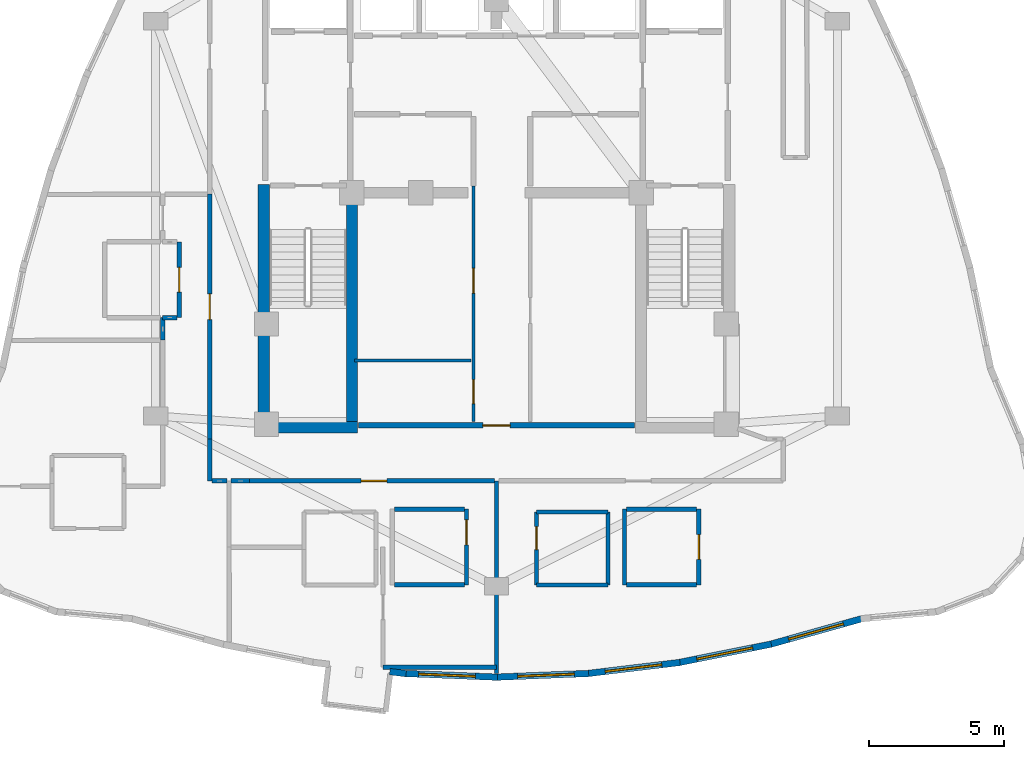
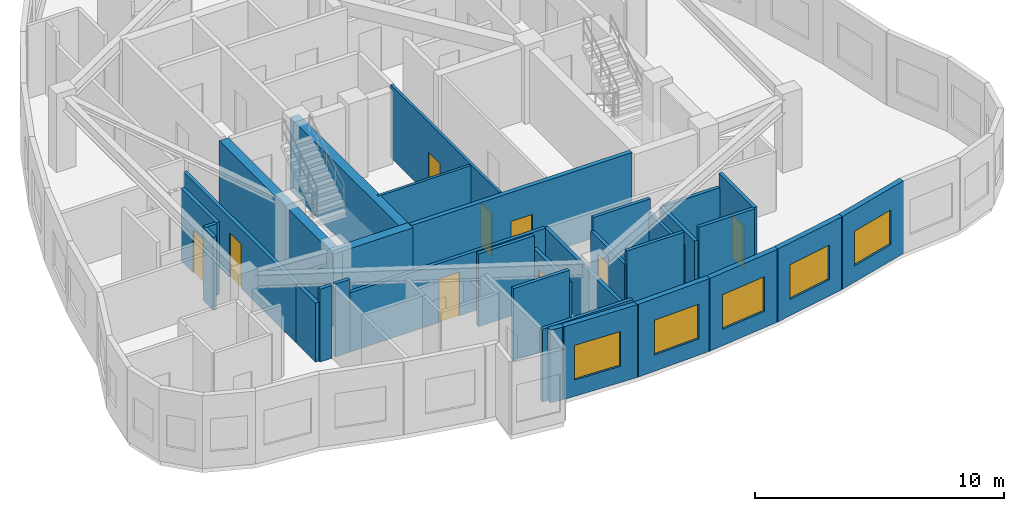
# One storey, part 8 of 13: 33 walls, 9 doors, 5 windows, 14 openings.
"""IFC4 building model written with IfcOpenShell, lengths in metres."""

from ifc_helpers import new_model, si_unit, direction, frame, frame_2d, origin, place, context, subcontext, project, spatial, rectangle, extrude, material, layer, layer_set, type_object, element, fill, save


model = new_model("IFC4")

# Units and contexts
model_context = context("Model", 3, precision=1e-05, world=origin(), true_north=direction((0.0, 1.0)))
body_context = subcontext(model_context, "Body", "Model", "MODEL_VIEW")
ifc_project = project(units=[si_unit("LENGTHUNIT", "METRE"), si_unit("AREAUNIT", "SQUARE_METRE"), si_unit("VOLUMEUNIT", "CUBIC_METRE"), si_unit("PLANEANGLEUNIT", "RADIAN"), si_unit("MASSUNIT", "GRAM", prefix="KILO")], contexts=[model_context])

# Site, building, storey
site_placement = place(None, origin())
site = spatial("IfcSite", under=ifc_project, at=site_placement, CompositionType="ELEMENT")
building_placement = place(site_placement, origin())
building = spatial("IfcBuilding", under=site, at=building_placement, Name="Miruveldt Soraemaru", CompositionType="ELEMENT")
storey_placement = place(building_placement, frame((0.0, 0.0, 255.85009765625)))
storey = spatial("IfcBuildingStorey", under=building, at=storey_placement, Name="L70", CompositionType="ELEMENT", Elevation=255.85009765625)

# Walls
ifc_material_1 = material(Name="Concrete C50/60 (50 MPa)", Category="concrete")
ifc_layer_1 = layer(ifc_material_1, 0.419921875, Name="Concrete C50/60 (50 MPa)", Category="concrete")
ifc_layer_set_1 = layer_set([ifc_layer_1], Name="Concrete C50/60 (50 MPa)")
wall_type_1 = type_object("IfcWallType", Name="WALL-CW-420", PredefinedType="SHEAR", material=ifc_layer_set_1)
wall_1_placement = place(storey_placement, frame((35.179931640625, 35.389892578125, 0.0), z_axis=(0.0, 0.0, 1.0), x_axis=(1.0, 0.0, 0.0)))
element("IfcWall", 1, at=wall_1_placement, inside=storey, type_object=wall_type_1, Name="L70 Central Core Shear Wall S1", PredefinedType="SHEAR", context=body_context, shape_type="SweptSolid", body=[
    extrude(rectangle(XDim=3.690185546875, YDim=0.419921875, at=frame_2d((1.84521484375, 0.0))), origin(), (0.0, 0.0, 1.0), 3.56494140625),
])
wall_2_placement = place(storey_placement, frame((35.389892578125, 35.179931640625, 0.0), z_axis=(0.0, 0.0, 1.0), x_axis=(0.0, 1.0, 0.0)))
element("IfcWall", 2, at=wall_2_placement, inside=storey, type_object=wall_type_1, Name="L70 Central Core Shear Wall W1", PredefinedType="SHEAR", context=body_context, shape_type="SweptSolid", body=[
    extrude(rectangle(XDim=9.170166015625, YDim=0.419921875, at=frame_2d((4.5849609375, 0.0))), origin(), (0.0, 0.0, 1.0), 3.56494140625),
])
wall_3_placement = place(storey_placement, frame((38.659912109375, 35.39990234375, 0.0), z_axis=(0.0, 0.0, 1.0), x_axis=(0.0, 1.0, 0.0)))
element("IfcWall", 3, at=wall_3_placement, inside=storey, type_object=wall_type_1, Name="L70 Central Core Shear Wall SW-INT", PredefinedType="SHEAR", context=body_context, shape_type="SweptSolid", body=[
    extrude(rectangle(XDim=8.9501953125, YDim=0.419921875, at=frame_2d((4.47509765625, 0.0))), origin(), (0.0, 0.0, 1.0), 3.56494140625),
])
ifc_material_2 = material(Name="Precast concrete C45/55 (45 MPa)", Category="concrete")
ifc_layer_2 = layer(ifc_material_2, 0.239990234375, Name="Precast concrete C45/55 (45 MPa)", Category="concrete")
ifc_layer_set_2 = layer_set([ifc_layer_2], Name="Precast concrete C45/55 (45 MPa)")
wall_type_2 = type_object("IfcWallType", Name="WALL-EXT-PC240", PredefinedType="SOLIDWALL", material=ifc_layer_set_2)
wall_4_placement = place(storey_placement, frame((40.055419921875, 26.347412109375, 0.0), z_axis=(0.0, 0.0, 1.0), x_axis=(0.99288252982, -0.119097783262, 0.0)))
element("IfcWall", 4, at=wall_4_placement, inside=storey, type_object=wall_type_2, Name="L70 Precast Pier Wall 23B", PredefinedType="SOLIDWALL", context=body_context, shape_type="SweptSolid", body=[
    extrude(rectangle(XDim=0.60888671875, YDim=0.239990234375, at=frame_2d((0.304443359375, 0.0))), origin(), (0.0, 0.0, 1.0), 3.56494140625),
])

# Wall, opening, window
wall_5_placement = place(storey_placement, frame((40.590087890625, 26.280517578125, 0.0), z_axis=(0.0, 0.0, 1.0), x_axis=(0.999199260977, -0.040010459423, 0.0)))
wall_5 = element("IfcWall", 5, at=wall_5_placement, inside=storey, type_object=wall_type_2, Name="L70 Precast Concrete Facade Wall 24", PredefinedType="SOLIDWALL", context=body_context, shape_type="SweptSolid", body=[
    extrude(rectangle(XDim=3.447509765625, YDim=0.239990234375, at=frame_2d((1.7236328125, 0.0))), origin(), (0.0, 0.0, 1.0), 3.56494140625),
])
opening_1_placement = place(wall_5_placement, frame((0.533935546875, 0.0, 0.800048828125)))
opening_1 = element("IfcOpeningElement", 6, at=opening_1_placement, cuts=wall_5, Name="Opening WN-1", PredefinedType="OPENING", context=body_context, shape_type="SweptSolid", body=[
    extrude(rectangle(XDim=2.10009765625, YDim=1.699951171875, at=frame_2d((1.050048828125, 0.85009765625))), frame((0.0, 0.1298828125, 0.0), z_axis=(0.0, -1.0, 0.0), x_axis=(1.0, 0.0, 0.0)), (0.0, 0.0, 1.0), 0.260009765625),
])
ifc_material_3 = material(Name="Triple low-e insulated glazing", Category="glass")
window_type = type_object("IfcWindowType", Name="WIN-PUNCH-2100x1700", PartitioningType="SINGLE_PANEL", PredefinedType="WINDOW", material=ifc_material_3)
window_1_placement = place(opening_1_placement, origin())
window_1 = element("IfcWindow", 7, at=window_1_placement, inside=storey, type_object=window_type, Name="L70 Punched Triple-Glazed Window 24.1", OverallHeight=1.699951171875, OverallWidth=2.10009765625, PartitioningType="SINGLE_PANEL", PredefinedType="WINDOW", context=body_context, shape_type="SweptSolid", body=[
    extrude(rectangle(XDim=2.10009765625, YDim=1.699951171875, at=frame_2d((1.050048828125, 0.85009765625))), frame((0.0, 0.030029296875, 0.0), z_axis=(0.0, -1.0, 0.0), x_axis=(1.0, 0.0, 0.0)), (0.0, 0.0, 1.0), 0.06005859375),
])
fill(opening_1, window_1)

wall_6_placement = place(storey_placement, frame((43.965087890625, 26.142578125, 0.0), z_axis=(0.0, 0.0, 1.0), x_axis=(0.999199260977, 0.040010459423, 0.0)))
wall_6 = element("IfcWall", 8, at=wall_6_placement, inside=storey, type_object=wall_type_2, Name="L70 Precast Concrete Facade Wall 25", PredefinedType="SOLIDWALL", context=body_context, shape_type="SweptSolid", body=[
    extrude(rectangle(XDim=3.447509765625, YDim=0.239990234375, at=frame_2d((1.7236328125, 0.0))), origin(), (0.0, 0.0, 1.0), 3.56494140625),
])
opening_2_placement = place(wall_6_placement, frame((0.81396484375, 0.0, 0.800048828125)))
opening_2 = element("IfcOpeningElement", 9, at=opening_2_placement, cuts=wall_6, Name="Opening WN-1", PredefinedType="OPENING", context=body_context, shape_type="SweptSolid", body=[
    extrude(rectangle(XDim=2.10009765625, YDim=1.699951171875, at=frame_2d((1.050048828125, 0.85009765625))), frame((0.0, 0.1298828125, 0.0), z_axis=(0.0, -1.0, 0.0), x_axis=(1.0, 0.0, 0.0)), (0.0, 0.0, 1.0), 0.260009765625),
])
window_2_placement = place(opening_2_placement, origin())
window_2 = element("IfcWindow", 10, at=window_2_placement, inside=storey, type_object=window_type, Name="L70 Punched Triple-Glazed Window 25.1", OverallHeight=1.699951171875, OverallWidth=2.10009765625, PartitioningType="SINGLE_PANEL", PredefinedType="WINDOW", context=body_context, shape_type="SweptSolid", body=[
    extrude(rectangle(XDim=2.10009765625, YDim=1.699951171875, at=frame_2d((1.050048828125, 0.85009765625))), frame((0.0, 0.030029296875, 0.0), z_axis=(0.0, -1.0, 0.0), x_axis=(1.0, 0.0, 0.0)), (0.0, 0.0, 1.0), 0.06005859375),
])
fill(opening_2, window_2)

wall_7_placement = place(storey_placement, frame((47.340087890625, 26.27490234375, 0.0), z_axis=(0.0, 0.0, 1.0), x_axis=(0.99287650547, 0.11914799573, 0.0)))
wall_7 = element("IfcWall", 11, at=wall_7_placement, inside=storey, type_object=wall_type_2, Name="L70 Precast Concrete Facade Wall 26", PredefinedType="SOLIDWALL", context=body_context, shape_type="SweptSolid", body=[
    extrude(rectangle(XDim=3.468994140625, YDim=0.239990234375, at=frame_2d((1.734375, 0.0))), origin(), (0.0, 0.0, 1.0), 3.56494140625),
])
opening_3_placement = place(wall_7_placement, frame((0.68505859375, 0.0, 0.800048828125)))
opening_3 = element("IfcOpeningElement", 12, at=opening_3_placement, cuts=wall_7, Name="Opening WN-1", PredefinedType="OPENING", context=body_context, shape_type="SweptSolid", body=[
    extrude(rectangle(XDim=2.10009765625, YDim=1.699951171875, at=frame_2d((1.050048828125, 0.85009765625))), frame((0.0, 0.1298828125, 0.0), z_axis=(0.0, -1.0, 0.0), x_axis=(1.0, 0.0, 0.0)), (0.0, 0.0, 1.0), 0.260009765625),
])
window_3_placement = place(opening_3_placement, origin())
window_3 = element("IfcWindow", 13, at=window_3_placement, inside=storey, type_object=window_type, Name="L70 Punched Triple-Glazed Window 26.1", OverallHeight=1.699951171875, OverallWidth=2.10009765625, PartitioningType="SINGLE_PANEL", PredefinedType="WINDOW", context=body_context, shape_type="SweptSolid", body=[
    extrude(rectangle(XDim=2.10009765625, YDim=1.699951171875, at=frame_2d((1.050048828125, 0.85009765625))), frame((0.0, 0.030029296875, 0.0), z_axis=(0.0, -1.0, 0.0), x_axis=(1.0, 0.0, 0.0)), (0.0, 0.0, 1.0), 0.06005859375),
])
fill(opening_3, window_3)

wall_8_placement = place(storey_placement, frame((50.71533203125, 26.67724609375, 0.0), z_axis=(0.0, 0.0, 1.0), x_axis=(0.980578001568, 0.196129505277, 0.0)))
wall_8 = element("IfcWall", 14, at=wall_8_placement, inside=storey, type_object=wall_type_2, Name="L70 Precast Concrete Facade Wall 27", PredefinedType="SOLIDWALL", context=body_context, shape_type="SweptSolid", body=[
    extrude(rectangle(XDim=3.511474609375, YDim=0.239990234375, at=frame_2d((1.755859375, 0.0))), origin(), (0.0, 0.0, 1.0), 3.56494140625),
])
opening_4_placement = place(wall_8_placement, frame((0.7060546875, 0.0, 0.800048828125)))
opening_4 = element("IfcOpeningElement", 15, at=opening_4_placement, cuts=wall_8, Name="Opening WN-1", PredefinedType="OPENING", context=body_context, shape_type="SweptSolid", body=[
    extrude(rectangle(XDim=2.10009765625, YDim=1.699951171875, at=frame_2d((1.050048828125, 0.85009765625))), frame((0.0, 0.1298828125, 0.0), z_axis=(0.0, -1.0, 0.0), x_axis=(1.0, 0.0, 0.0)), (0.0, 0.0, 1.0), 0.260009765625),
])
window_4_placement = place(opening_4_placement, origin())
window_4 = element("IfcWindow", 16, at=window_4_placement, inside=storey, type_object=window_type, Name="L70 Punched Triple-Glazed Window 27.1", OverallHeight=1.699951171875, OverallWidth=2.10009765625, PartitioningType="SINGLE_PANEL", PredefinedType="WINDOW", context=body_context, shape_type="SweptSolid", body=[
    extrude(rectangle(XDim=2.10009765625, YDim=1.699951171875, at=frame_2d((1.050048828125, 0.85009765625))), frame((0.0, 0.030029296875, 0.0), z_axis=(0.0, -1.0, 0.0), x_axis=(1.0, 0.0, 0.0)), (0.0, 0.0, 1.0), 0.06005859375),
])
fill(opening_4, window_4)

wall_9_placement = place(storey_placement, frame((54.0908203125, 27.349609375, 0.0), z_axis=(0.0, 0.0, 1.0), x_axis=(0.962959054134, 0.269647659105, 0.0)))
wall_9 = element("IfcWall", 17, at=wall_9_placement, inside=storey, type_object=wall_type_2, Name="L70 Precast Concrete Facade Wall 28", PredefinedType="SOLIDWALL", context=body_context, shape_type="SweptSolid", body=[
    extrude(rectangle(XDim=3.574462890625, YDim=0.239990234375, at=frame_2d((1.787109375, 0.0))), origin(), (0.0, 0.0, 1.0), 3.56494140625),
])
opening_5_placement = place(wall_9_placement, frame((0.738037109375, 0.0, 0.800048828125)))
opening_5 = element("IfcOpeningElement", 18, at=opening_5_placement, cuts=wall_9, Name="Opening WN-1", PredefinedType="OPENING", context=body_context, shape_type="SweptSolid", body=[
    extrude(rectangle(XDim=2.10009765625, YDim=1.699951171875, at=frame_2d((1.050048828125, 0.85009765625))), frame((0.0, 0.1298828125, 0.0), z_axis=(0.0, -1.0, 0.0), x_axis=(1.0, 0.0, 0.0)), (0.0, 0.0, 1.0), 0.260009765625),
])
window_5_placement = place(opening_5_placement, origin())
window_5 = element("IfcWindow", 19, at=window_5_placement, inside=storey, type_object=window_type, Name="L70 Punched Triple-Glazed Window 28.1", OverallHeight=1.699951171875, OverallWidth=2.10009765625, PartitioningType="SINGLE_PANEL", PredefinedType="WINDOW", context=body_context, shape_type="SweptSolid", body=[
    extrude(rectangle(XDim=2.10009765625, YDim=1.699951171875, at=frame_2d((1.050048828125, 0.85009765625))), frame((0.0, 0.030029296875, 0.0), z_axis=(0.0, -1.0, 0.0), x_axis=(1.0, 0.0, 0.0)), (0.0, 0.0, 1.0), 0.06005859375),
])
fill(opening_5, window_5)

# Wall, openings, doors
ifc_material_4 = material(Name="Gypsum plasterboard lining", Category="gypsum")
ifc_layer_3 = layer(ifc_material_4, 0.1201171875, Name="Gypsum plasterboard lining", Category="gypsum")
ifc_layer_set_3 = layer_set([ifc_layer_3], Name="Gypsum plasterboard lining")
wall_type_3 = type_object("IfcWallType", Name="WALL-INT-P120", PredefinedType="PARTITIONING", material=ifc_layer_set_3)
wall_10_placement = place(storey_placement, frame((43.14990234375, 35.60009765625, 0.0), z_axis=(0.0, 0.0, 1.0), x_axis=(0.0, 1.0, 0.0)))
wall_10 = element("IfcWall", 20, at=wall_10_placement, inside=storey, type_object=wall_type_3, Name="L70 Core Compartment Wall SP-WL", PredefinedType="PARTITIONING", context=body_context, shape_type="SweptSolid", body=[
    extrude(rectangle(XDim=8.699951171875, YDim=0.1201171875, at=frame_2d((4.35009765625, 0.0))), origin(), (0.0, 0.0, 1.0), 3.56494140625),
])
opening_6_placement = place(wall_10_placement, frame((0.659912109375, 0.0, 0.0)))
opening_6 = element("IfcOpeningElement", 21, at=opening_6_placement, cuts=wall_10, Name="Opening D4", PredefinedType="OPENING", context=body_context, shape_type="SweptSolid", body=[
    extrude(rectangle(XDim=0.8798828125, YDim=2.10009765625, at=frame_2d((0.43994140625, 1.050048828125))), frame((0.0, 0.070068359375, 0.0), z_axis=(0.0, -1.0, 0.0), x_axis=(1.0, 0.0, 0.0)), (0.0, 0.0, 1.0), 0.14013671875),
])
opening_7_placement = place(wall_10_placement, frame((4.739990234375, 0.0, 0.0)))
opening_7 = element("IfcOpeningElement", 22, at=opening_7_placement, cuts=wall_10, Name="Opening D3A", PredefinedType="OPENING", context=body_context, shape_type="SweptSolid", body=[
    extrude(rectangle(XDim=0.919921875, YDim=2.10009765625, at=frame_2d((0.4599609375, 1.050048828125))), frame((0.0, 0.070068359375, 0.0), z_axis=(0.0, -1.0, 0.0), x_axis=(1.0, 0.0, 0.0)), (0.0, 0.0, 1.0), 0.14013671875),
])
ifc_material_5 = material(Name="Anodised aluminium EN AW-6063 T6", Category="aluminium")
door_type_1 = type_object("IfcDoorType", Name="DOOR-INT-880", OperationType="NOTDEFINED", PredefinedType="DOOR", material=ifc_material_5)
door_1_placement = place(opening_6_placement, origin())
door_1 = element("IfcDoor", 23, at=door_1_placement, inside=storey, type_object=door_type_1, Name="L70 Fire Door", OperationType="SINGLE_SWING_LEFT", OverallHeight=2.10009765625, OverallWidth=0.8798828125, PredefinedType="DOOR", context=body_context, shape_type="SweptSolid", body=[
    extrude(rectangle(XDim=0.8798828125, YDim=2.10009765625, at=frame_2d((0.43994140625, 1.050048828125))), frame((0.0, 0.02490234375, 0.0), z_axis=(0.0, -1.0, 0.0), x_axis=(1.0, 0.0, 0.0)), (0.0, 0.0, 1.0), 0.050048828125),
])
fill(opening_6, door_1)
door_type_2 = type_object("IfcDoorType", Name="DOOR-INT-920", OperationType="NOTDEFINED", PredefinedType="DOOR", material=ifc_material_5)
door_2_placement = place(opening_7_placement, origin())
door_2 = element("IfcDoor", 24, at=door_2_placement, inside=storey, type_object=door_type_2, Name="L70 Fire Door", OperationType="SINGLE_SWING_LEFT", OverallHeight=2.10009765625, OverallWidth=0.919921875, PredefinedType="DOOR", context=body_context, shape_type="SweptSolid", body=[
    extrude(rectangle(XDim=0.919921875, YDim=2.10009765625, at=frame_2d((0.4599609375, 1.050048828125))), frame((0.0, 0.02490234375, 0.0), z_axis=(0.0, -1.0, 0.0), x_axis=(1.0, 0.0, 0.0)), (0.0, 0.0, 1.0), 0.050048828125),
])
fill(opening_7, door_2)

# Wall
wall_11_placement = place(storey_placement, frame((38.75, 37.85009765625, 0.0), z_axis=(0.0, 0.0, 1.0), x_axis=(1.0, 0.0, 0.0)))
element("IfcWall", 25, at=wall_11_placement, inside=storey, type_object=wall_type_3, Name="L70 Core Compartment Wall RL-W1H", PredefinedType="PARTITIONING", context=body_context, shape_type="SweptSolid", body=[
    extrude(rectangle(XDim=4.300048828125, YDim=0.1201171875, at=frame_2d((2.14990234375, 0.0))), origin(), (0.0, 0.0, 1.0), 3.56494140625),
])

# Wall, opening, door
ifc_layer_4 = layer(ifc_material_4, 0.14990234375, Name="Gypsum plasterboard lining", Category="gypsum")
ifc_layer_set_4 = layer_set([ifc_layer_4], Name="Gypsum plasterboard lining")
wall_type_4 = type_object("IfcWallType", Name="WALL-INT-PLUMB", PredefinedType="PLUMBINGWALL", material=ifc_layer_set_4)
wall_12_placement = place(storey_placement, frame((45.47998046875, 32.256103515625, 0.0), z_axis=(0.0, 0.0, 1.0), x_axis=(0.0, -1.0, 0.0)))
wall_12 = element("IfcWall", 26, at=wall_12_placement, inside=storey, type_object=wall_type_4, Name="L70 Partition Wall 62", PredefinedType="PLUMBINGWALL", context=body_context, shape_type="SweptSolid", body=[
    extrude(rectangle(XDim=2.7001953125, YDim=0.14990234375, at=frame_2d((1.35009765625, 0.0))), origin(), (0.0, 0.0, 1.0), 2.90283203125),
])
opening_8_placement = place(wall_12_placement, frame((0.550048828125, 0.0, 0.0)))
opening_8 = element("IfcOpeningElement", 27, at=opening_8_placement, cuts=wall_12, Name="Opening FD3", PredefinedType="OPENING", context=body_context, shape_type="SweptSolid", body=[
    extrude(rectangle(XDim=0.85009765625, YDim=2.10009765625, at=frame_2d((0.425048828125, 1.050048828125))), frame((0.0, 0.0849609375, 0.0), z_axis=(0.0, -1.0, 0.0), x_axis=(1.0, 0.0, 0.0)), (0.0, 0.0, 1.0), 0.169921875),
])
door_type_3 = type_object("IfcDoorType", Name="DOOR-FD3-850", OperationType="NOTDEFINED", PredefinedType="DOOR", material=ifc_material_5)
door_3_placement = place(opening_8_placement, origin())
door_3 = element("IfcDoor", 28, at=door_3_placement, inside=storey, type_object=door_type_3, Name="L70 Unit 7004 BTH Door", OperationType="SINGLE_SWING_LEFT", OverallHeight=2.10009765625, OverallWidth=0.85009765625, PredefinedType="DOOR", context=body_context, shape_type="SweptSolid", body=[
    extrude(rectangle(XDim=0.85009765625, YDim=2.10009765625, at=frame_2d((0.425048828125, 1.050048828125))), frame((0.0, 0.02490234375, 0.0), z_axis=(0.0, -1.0, 0.0), x_axis=(1.0, 0.0, 0.0)), (0.0, 0.0, 1.0), 0.050048828125),
])
fill(opening_8, door_3)

# Walls
wall_13_placement = place(storey_placement, frame((48.1298828125, 29.555908203125, 0.0), z_axis=(0.0, 0.0, 1.0), x_axis=(0.0, 1.0, 0.0)))
element("IfcWall", 29, at=wall_13_placement, inside=storey, type_object=wall_type_4, Name="L70 Partition Wall 60", PredefinedType="PLUMBINGWALL", context=body_context, shape_type="SweptSolid", body=[
    extrude(rectangle(XDim=2.7001953125, YDim=0.14990234375, at=frame_2d((1.35009765625, 0.0))), origin(), (0.0, 0.0, 1.0), 2.90283203125),
])
for number, where, z_axis, x_axis, name in (
    (30, (48.1298828125, 32.256103515625, 0.0), (0.0, 0.0, 1.0), (-1.0, 0.0, 0.0), "L70 Partition Wall 61"),
    (31, (45.47998046875, 29.555908203125, 0.0), (0.0, 0.0, 1.0), (1.0, 0.0, 0.0), "L70 Partition Wall 63"),
):
    element("IfcWall", number, at=place(storey_placement, frame(where, z_axis=z_axis, x_axis=x_axis)), inside=storey, type_object=wall_type_4, Name=name, PredefinedType="PLUMBINGWALL", context=body_context, shape_type="SweptSolid", body=[
        extrude(rectangle(XDim=2.64990234375, YDim=0.14990234375, at=frame_2d((1.324951171875, 0.0))), origin(), (0.0, 0.0, 1.0), 3.56494140625),
    ])

# Wall, opening, door
ifc_material_6 = material(Name="Concrete C40/50 (40 MPa)", Category="concrete")
ifc_layer_5 = layer(ifc_material_6, 0.159912109375, Name="Concrete C40/50 (40 MPa)", Category="concrete")
ifc_layer_set_5 = layer_set([ifc_layer_5], Name="Concrete C40/50 (40 MPa)")
wall_type_5 = type_object("IfcWallType", Name="WALL-INT-RC160", PredefinedType="SOLIDWALL", material=ifc_layer_set_5)
wall_14_placement = place(storey_placement, frame((34.8701171875, 33.39990234375, 0.0), z_axis=(0.0, 0.0, 1.0), x_axis=(1.0, 0.0, 0.0)))
wall_14 = element("IfcWall", 32, at=wall_14_placement, inside=storey, type_object=wall_type_5, Name="L70 Partition Wall 9", PredefinedType="SOLIDWALL", context=body_context, shape_type="SweptSolid", body=[
    extrude(rectangle(XDim=9.0498046875, YDim=0.159912109375, at=frame_2d((4.52490234375, 0.0))), origin(), (0.0, 0.0, 1.0), 2.90283203125),
])
opening_9_placement = place(wall_14_placement, frame((4.1298828125, 0.0, 0.0)))
opening_9 = element("IfcOpeningElement", 33, at=opening_9_placement, cuts=wall_14, Name="Opening FD2", PredefinedType="OPENING", context=body_context, shape_type="SweptSolid", body=[
    extrude(rectangle(XDim=0.949951171875, YDim=2.14990234375, at=frame_2d((0.47509765625, 1.074951171875))), frame((0.0, 0.08984375, 0.0), z_axis=(0.0, -1.0, 0.0), x_axis=(1.0, 0.0, 0.0)), (0.0, 0.0, 1.0), 0.179931640625),
])
door_type_4 = type_object("IfcDoorType", Name="DOOR-FD2-950", OperationType="NOTDEFINED", PredefinedType="DOOR", material=ifc_material_5)
door_4_placement = place(opening_9_placement, origin())
door_4 = element("IfcDoor", 34, at=door_4_placement, inside=storey, type_object=door_type_4, Name="L70 Unit 7003 Entrance Fire Door", OperationType="SINGLE_SWING_RIGHT", OverallHeight=2.14990234375, OverallWidth=0.949951171875, PredefinedType="DOOR", context=body_context, shape_type="SweptSolid", body=[
    extrude(rectangle(XDim=0.949951171875, YDim=2.14990234375, at=frame_2d((0.47509765625, 1.074951171875))), frame((0.0, 0.02490234375, 0.0), z_axis=(0.0, -1.0, 0.0), x_axis=(1.0, 0.0, 0.0)), (0.0, 0.0, 1.0), 0.050048828125),
])
fill(opening_9, door_4)

wall_15_placement = place(storey_placement, frame((33.39990234375, 44.0, 0.0), z_axis=(0.0, 0.0, 1.0), x_axis=(0.0, -1.0, 0.0)))
wall_15 = element("IfcWall", 35, at=wall_15_placement, inside=storey, type_object=wall_type_5, Name="L70 Partition Wall 5", PredefinedType="SOLIDWALL", context=body_context, shape_type="SweptSolid", body=[
    extrude(rectangle(XDim=9.050048828125, YDim=0.159912109375, at=frame_2d((4.52490234375, 0.0))), origin(), (0.0, 0.0, 1.0), 2.90283203125),
])
opening_10_placement = place(wall_15_placement, frame((3.68994140625, 0.0, 0.0)))
opening_10 = element("IfcOpeningElement", 36, at=opening_10_placement, cuts=wall_15, Name="Opening FD2", PredefinedType="OPENING", context=body_context, shape_type="SweptSolid", body=[
    extrude(rectangle(XDim=0.949951171875, YDim=2.14990234375, at=frame_2d((0.47509765625, 1.074951171875))), frame((0.0, 0.08984375, 0.0), z_axis=(0.0, -1.0, 0.0), x_axis=(1.0, 0.0, 0.0)), (0.0, 0.0, 1.0), 0.179931640625),
])
door_5_placement = place(opening_10_placement, origin())
door_5 = element("IfcDoor", 37, at=door_5_placement, inside=storey, type_object=door_type_4, Name="L70 Unit 7002 Entrance Fire Door", OperationType="SINGLE_SWING_LEFT", OverallHeight=2.14990234375, OverallWidth=0.949951171875, PredefinedType="DOOR", context=body_context, shape_type="SweptSolid", body=[
    extrude(rectangle(XDim=0.949951171875, YDim=2.14990234375, at=frame_2d((0.47509765625, 1.074951171875))), frame((0.0, 0.02490234375, 0.0), z_axis=(0.0, -1.0, 0.0), x_axis=(1.0, 0.0, 0.0)), (0.0, 0.0, 1.0), 0.050048828125),
])
fill(opening_10, door_5)

wall_16_placement = place(storey_placement, frame((42.89208984375, 29.555908203125, 0.0), z_axis=(0.0, 0.0, 1.0), x_axis=(0.0, 1.0, 0.0)))
wall_16 = element("IfcWall", 38, at=wall_16_placement, inside=storey, type_object=wall_type_5, Name="L70 Partition Wall 50", PredefinedType="SOLIDWALL", context=body_context, shape_type="SweptSolid", body=[
    extrude(rectangle(XDim=2.800048828125, YDim=0.159912109375, at=frame_2d((1.39990234375, 0.0))), origin(), (0.0, 0.0, 1.0), 2.90283203125),
])
opening_11_placement = place(wall_16_placement, frame((1.47998046875, 0.0, 0.0)))
opening_11 = element("IfcOpeningElement", 39, at=opening_11_placement, cuts=wall_16, Name="Opening D3A", PredefinedType="OPENING", context=body_context, shape_type="SweptSolid", body=[
    extrude(rectangle(XDim=0.919921875, YDim=2.10009765625, at=frame_2d((0.4599609375, 1.050048828125))), frame((0.0, 0.08984375, 0.0), z_axis=(0.0, -1.0, 0.0), x_axis=(1.0, 0.0, 0.0)), (0.0, 0.0, 1.0), 0.179931640625),
])
door_6_placement = place(opening_11_placement, origin())
door_6 = element("IfcDoor", 40, at=door_6_placement, inside=storey, type_object=door_type_2, Name="L70 Unit 7003 KIT Door", OperationType="SINGLE_SWING_RIGHT", OverallHeight=2.10009765625, OverallWidth=0.919921875, PredefinedType="DOOR", context=body_context, shape_type="SweptSolid", body=[
    extrude(rectangle(XDim=0.919921875, YDim=2.10009765625, at=frame_2d((0.4599609375, 1.050048828125))), frame((0.0, 0.02490234375, 0.0), z_axis=(0.0, -1.0, 0.0), x_axis=(1.0, 0.0, 0.0)), (0.0, 0.0, 1.0), 0.050048828125),
])
fill(opening_11, door_6)

wall_17_placement = place(storey_placement, frame((51.47998046875, 29.555908203125, 0.0), z_axis=(0.0, 0.0, 1.0), x_axis=(0.0, 1.0, 0.0)))
wall_17 = element("IfcWall", 41, at=wall_17_placement, inside=storey, type_object=wall_type_5, Name="L70 Partition Wall 64", PredefinedType="SOLIDWALL", context=body_context, shape_type="SweptSolid", body=[
    extrude(rectangle(XDim=2.800048828125, YDim=0.159912109375, at=frame_2d((1.39990234375, 0.0))), origin(), (0.0, 0.0, 1.0), 3.56494140625),
])
opening_12_placement = place(wall_17_placement, frame((0.93994140625, 0.0, 0.0)))
opening_12 = element("IfcOpeningElement", 42, at=opening_12_placement, cuts=wall_17, Name="Opening D3A", PredefinedType="OPENING", context=body_context, shape_type="SweptSolid", body=[
    extrude(rectangle(XDim=0.919921875, YDim=2.10009765625, at=frame_2d((0.4599609375, 1.050048828125))), frame((0.0, 0.08984375, 0.0), z_axis=(0.0, -1.0, 0.0), x_axis=(1.0, 0.0, 0.0)), (0.0, 0.0, 1.0), 0.179931640625),
])
door_7_placement = place(opening_12_placement, origin())
door_7 = element("IfcDoor", 43, at=door_7_placement, inside=storey, type_object=door_type_2, Name="L70 Unit 7004 KIT Door", OperationType="SINGLE_SWING_RIGHT", OverallHeight=2.10009765625, OverallWidth=0.919921875, PredefinedType="DOOR", context=body_context, shape_type="SweptSolid", body=[
    extrude(rectangle(XDim=0.919921875, YDim=2.10009765625, at=frame_2d((0.4599609375, 1.050048828125))), frame((0.0, 0.02490234375, 0.0), z_axis=(0.0, -1.0, 0.0), x_axis=(1.0, 0.0, 0.0)), (0.0, 0.0, 1.0), 0.050048828125),
])
fill(opening_12, door_7)

wall_18_placement = place(storey_placement, frame((32.27294921875, 39.43505859375, 0.0), z_axis=(0.0, 0.0, 1.0), x_axis=(0.0, 1.0, 0.0)))
wall_18 = element("IfcWall", 44, at=wall_18_placement, inside=storey, type_object=wall_type_5, Name="L70 Partition Wall 30", PredefinedType="SOLIDWALL", context=body_context, shape_type="SweptSolid", body=[
    extrude(rectangle(XDim=2.800048828125, YDim=0.159912109375, at=frame_2d((1.39990234375, 0.0))), origin(), (0.0, 0.0, 1.0), 3.56494140625),
])
opening_13_placement = place(wall_18_placement, frame((0.93994140625, 0.0, 0.0)))
opening_13 = element("IfcOpeningElement", 45, at=opening_13_placement, cuts=wall_18, Name="Opening D3A", PredefinedType="OPENING", context=body_context, shape_type="SweptSolid", body=[
    extrude(rectangle(XDim=0.919921875, YDim=2.10009765625, at=frame_2d((0.4599609375, 1.050048828125))), frame((0.0, 0.08984375, 0.0), z_axis=(0.0, -1.0, 0.0), x_axis=(1.0, 0.0, 0.0)), (0.0, 0.0, 1.0), 0.179931640625),
])
door_8_placement = place(opening_13_placement, origin())
door_8 = element("IfcDoor", 46, at=door_8_placement, inside=storey, type_object=door_type_2, Name="L70 Unit 7002 KIT Door", OperationType="SINGLE_SWING_LEFT", OverallHeight=2.10009765625, OverallWidth=0.919921875, PredefinedType="DOOR", context=body_context, shape_type="SweptSolid", body=[
    extrude(rectangle(XDim=0.919921875, YDim=2.10009765625, at=frame_2d((0.4599609375, 1.050048828125))), frame((0.0, 0.02490234375, 0.0), z_axis=(0.0, -1.0, 0.0), x_axis=(1.0, 0.0, 0.0)), (0.0, 0.0, 1.0), 0.050048828125),
])
fill(opening_13, door_8)

# Walls
wall_19_placement = place(storey_placement, frame((44.0, 26.279052734375, 0.0), z_axis=(0.0, 0.0, 1.0), x_axis=(0.0, 1.0, 0.0)))
element("IfcWall", 47, at=wall_19_placement, inside=storey, type_object=wall_type_5, Name="L70 Partition Wall 56", PredefinedType="SOLIDWALL", context=body_context, shape_type="SweptSolid", body=[
    extrude(rectangle(XDim=7.114013671875, YDim=0.159912109375, at=frame_2d((3.55712890625, 0.0))), origin(), (0.0, 0.0, 1.0), 2.90283203125),
])
wall_20_placement = place(storey_placement, frame((39.806884765625, 26.512939453125, 0.0), z_axis=(0.0, 0.0, 1.0), x_axis=(1.0, 0.0, 0.0)))
element("IfcWall", 48, at=wall_20_placement, inside=storey, type_object=wall_type_5, Name="L70 Partition Closure Return 1", PredefinedType="SOLIDWALL", context=body_context, shape_type="SweptSolid", body=[
    extrude(rectangle(XDim=4.193115234375, YDim=0.159912109375, at=frame_2d((2.0966796875, 0.0))), origin(), (0.0, 0.0, 1.0), 3.56494140625),
])
wall_21_placement = place(storey_placement, frame((48.72998046875, 32.35595703125, 0.0), z_axis=(0.0, 0.0, 1.0), x_axis=(0.0, -1.0, 0.0)))
element("IfcWall", 49, at=wall_21_placement, inside=storey, type_object=wall_type_5, Name="L70 Partition Wall 66", PredefinedType="SOLIDWALL", context=body_context, shape_type="SweptSolid", body=[
    extrude(rectangle(XDim=2.800048828125, YDim=0.159912109375, at=frame_2d((1.39990234375, 0.0))), origin(), (0.0, 0.0, 1.0), 2.90283203125),
])
for number, where, z_axis, x_axis, name in (
    (50, (42.81201171875, 32.35595703125, 0.0), (0.0, 0.0, 1.0), (-1.0, 0.0, 0.0), "L70 Partition Wall 51"),
    (51, (40.221923828125, 29.555908203125, 0.0), (0.0, 0.0, 1.0), (1.0, 0.0, 0.0), "L70 Partition Wall 53"),
):
    element("IfcWall", number, at=place(storey_placement, frame(where, z_axis=z_axis, x_axis=x_axis)), inside=storey, type_object=wall_type_5, Name=name, PredefinedType="SOLIDWALL", context=body_context, shape_type="SweptSolid", body=[
        extrude(rectangle(XDim=2.590087890625, YDim=0.159912109375, at=frame_2d((1.294921875, 0.0))), origin(), (0.0, 0.0, 1.0), 3.56494140625),
    ])
wall_22_placement = place(storey_placement, frame((51.39990234375, 32.35595703125, 0.0), z_axis=(0.0, 0.0, 1.0), x_axis=(-1.0, 0.0, 0.0)))
element("IfcWall", 52, at=wall_22_placement, inside=storey, type_object=wall_type_5, Name="L70 Partition Wall 65", PredefinedType="SOLIDWALL", context=body_context, shape_type="SweptSolid", body=[
    extrude(rectangle(XDim=2.58984375, YDim=0.159912109375, at=frame_2d((1.294921875, 0.0))), origin(), (0.0, 0.0, 1.0), 2.90283203125),
])
wall_23_placement = place(storey_placement, frame((48.81005859375, 29.555908203125, 0.0), z_axis=(0.0, 0.0, 1.0), x_axis=(1.0, 0.0, 0.0)))
element("IfcWall", 53, at=wall_23_placement, inside=storey, type_object=wall_type_5, Name="L70 Partition Wall 67", PredefinedType="SOLIDWALL", context=body_context, shape_type="SweptSolid", body=[
    extrude(rectangle(XDim=2.58984375, YDim=0.159912109375, at=frame_2d((1.294921875, 0.0))), origin(), (0.0, 0.0, 1.0), 3.56494140625),
])
wall_24_placement = place(storey_placement, frame((33.39990234375, 34.949951171875, 0.0), z_axis=(0.0, 0.0, 1.0), x_axis=(0.0, -1.0, 0.0)))
element("IfcWall", 54, at=wall_24_placement, inside=storey, type_object=wall_type_5, Name="L70 Partition Wall 6", PredefinedType="SOLIDWALL", context=body_context, shape_type="SweptSolid", body=[
    extrude(rectangle(XDim=1.550048828125, YDim=0.159912109375, at=frame_2d((0.77490234375, 0.0))), origin(), (0.0, 0.0, 1.0), 2.90283203125),
])
wall_25_placement = place(storey_placement, frame((31.662109375, 39.43505859375, 0.0), z_axis=(0.0, 0.0, 1.0), x_axis=(0.0, -1.0, 0.0)))
element("IfcWall", 55, at=wall_25_placement, inside=storey, type_object=wall_type_5, Name="L70 Partition Wall 37", PredefinedType="SOLIDWALL", context=body_context, shape_type="SweptSolid", body=[
    extrude(rectangle(XDim=0.83203125, YDim=0.159912109375, at=frame_2d((0.416015625, 0.0))), origin(), (0.0, 0.0, 1.0), 3.56494140625),
])
wall_26_placement = place(storey_placement, frame((34.19189453125, 33.39990234375, 0.0), z_axis=(0.0, 0.0, 1.0), x_axis=(1.0, 0.0, 0.0)))
element("IfcWall", 56, at=wall_26_placement, inside=storey, type_object=wall_type_5, Name="L70 Partition Wall 8", PredefinedType="SOLIDWALL", context=body_context, shape_type="SweptSolid", body=[
    extrude(rectangle(XDim=0.67822265625, YDim=0.159912109375, at=frame_2d((0.339111328125, 0.0))), origin(), (0.0, 0.0, 1.0), 3.56494140625),
])
wall_27_placement = place(storey_placement, frame((33.47998046875, 33.39990234375, 0.0), z_axis=(0.0, 0.0, 1.0), x_axis=(1.0, 0.0, 0.0)))
element("IfcWall", 57, at=wall_27_placement, inside=storey, type_object=wall_type_5, Name="L70 Partition Wall 7", PredefinedType="SOLIDWALL", context=body_context, shape_type="SweptSolid", body=[
    extrude(rectangle(XDim=0.552001953125, YDim=0.159912109375, at=frame_2d((0.27587890625, 0.0))), origin(), (0.0, 0.0, 1.0), 3.56494140625),
])
wall_28_placement = place(storey_placement, frame((31.652099609375, 39.43505859375, 0.0), z_axis=(0.0, 0.0, 1.0), x_axis=(1.0, 0.0, 0.0)))
element("IfcWall", 58, at=wall_28_placement, inside=storey, type_object=wall_type_5, Name="L70 Partition Wall 32", PredefinedType="SOLIDWALL", context=body_context, shape_type="SweptSolid", body=[
    extrude(rectangle(XDim=0.541015625, YDim=0.159912109375, at=frame_2d((0.2705078125, 0.0))), origin(), (0.0, 0.0, 1.0), 3.56494140625),
])

# Wall, opening, door
ifc_layer_6 = layer(ifc_material_6, 0.199951171875, Name="Concrete C40/50 (40 MPa)", Category="concrete")
ifc_layer_set_6 = layer_set([ifc_layer_6], Name="Concrete C40/50 (40 MPa)")
wall_type_6 = type_object("IfcWallType", Name="WALL-INT-RC200", PredefinedType="SOLIDWALL", material=ifc_layer_set_6)
wall_29_placement = place(storey_placement, frame((38.89990234375, 35.449951171875, 0.0), z_axis=(0.0, 0.0, 1.0), x_axis=(1.0, 0.0, 0.0)))
wall_29 = element("IfcWall", 59, at=wall_29_placement, inside=storey, type_object=wall_type_6, Name="L70 Core Compartment Wall CS-S", PredefinedType="SOLIDWALL", context=body_context, shape_type="SweptSolid", body=[
    extrude(rectangle(XDim=10.2001953125, YDim=0.199951171875, at=frame_2d((5.10009765625, 0.0))), origin(), (0.0, 0.0, 1.0), 3.56494140625),
])
opening_14_placement = place(wall_29_placement, frame((4.60009765625, 0.0, 0.0)))
opening_14 = element("IfcOpeningElement", 60, at=opening_14_placement, cuts=wall_29, Name="Opening FD1", PredefinedType="OPENING", context=body_context, shape_type="SweptSolid", body=[
    extrude(rectangle(XDim=1.0, YDim=2.14990234375, at=frame_2d((0.5, 1.074951171875))), frame((0.0, 0.10986328125, 0.0), z_axis=(0.0, -1.0, 0.0), x_axis=(1.0, 0.0, 0.0)), (0.0, 0.0, 1.0), 0.219970703125),
])
door_type_5 = type_object("IfcDoorType", Name="DOOR-FD1-1000", OperationType="NOTDEFINED", PredefinedType="DOOR", material=ifc_material_5)
door_9_placement = place(opening_14_placement, origin())
door_9 = element("IfcDoor", 61, at=door_9_placement, inside=storey, type_object=door_type_5, Name="L70 Core South Lobby Fire Door", OperationType="SINGLE_SWING_LEFT", OverallHeight=2.14990234375, OverallWidth=1.0, PredefinedType="DOOR", context=body_context, shape_type="SweptSolid", body=[
    extrude(rectangle(XDim=1.0, YDim=2.14990234375, at=frame_2d((0.5, 1.074951171875))), frame((0.0, 0.02490234375, 0.0), z_axis=(0.0, -1.0, 0.0), x_axis=(1.0, 0.0, 0.0)), (0.0, 0.0, 1.0), 0.050048828125),
])
fill(opening_14, door_9)

save(model, "model.ifc")
